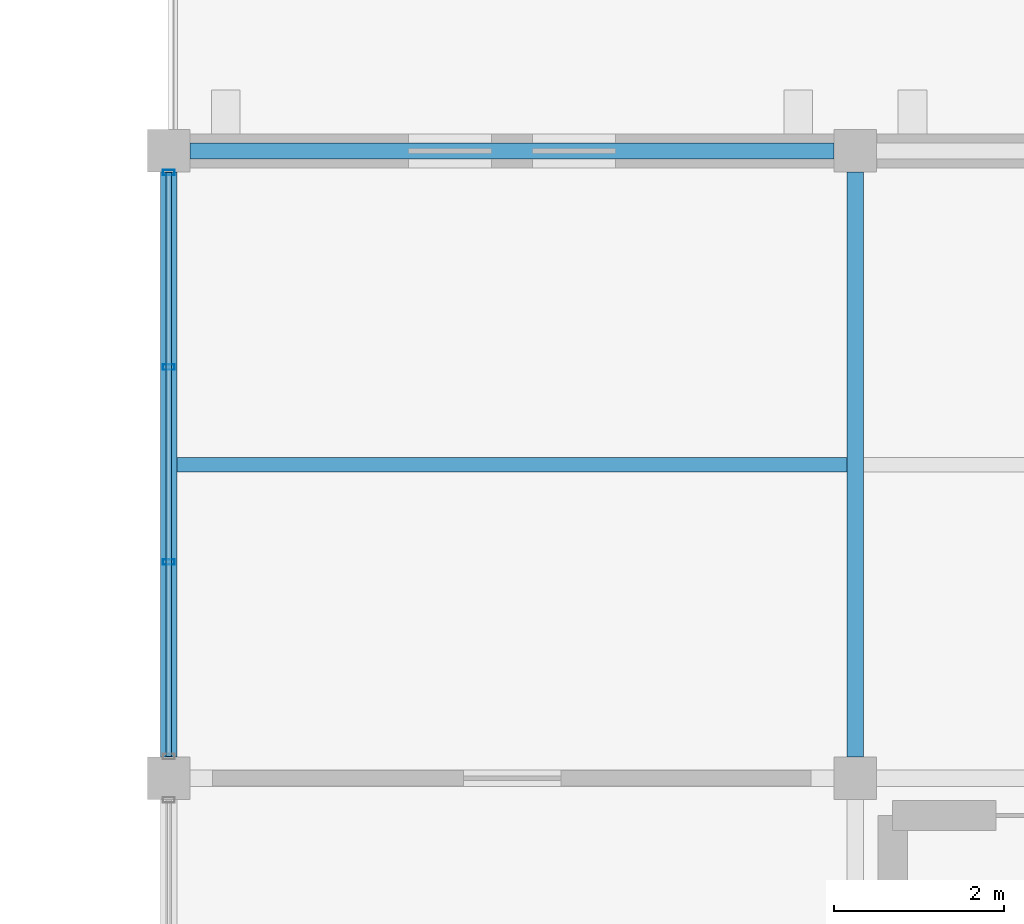
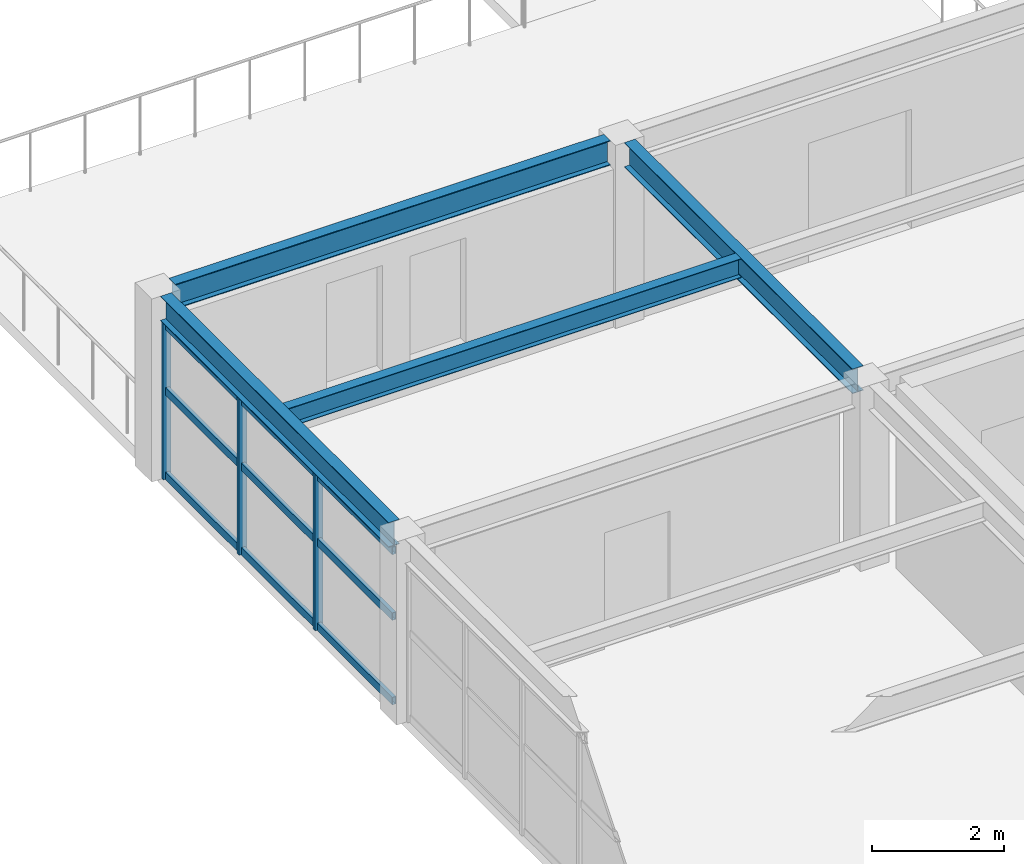
# One storey, part 70 of 93: 6 members, 4 beams, 1 element without a shape of its own.
"""IFC4 building model written with IfcOpenShell, lengths in metres."""

import ifcopenshell
import ifcopenshell.guid

model = None  # the IFC model being written
_history = None  # IfcOwnerHistory: only IFC2X3 demands one
_inside = {}  # id of a spatial element -> (the spatial element, [elements in it])
_under = {}  # id of a project, library or spatial element -> (it, [spatial elements below it])
_declared = {}  # id of a project -> (the project, [libraries it declares])
_typed = {}  # id of a type object -> (the type object, [elements of that type])
_made_of = {}  # id of a material, layer set ... -> (it, [elements and type objects made of it])


def new_model(schema):
    """Start an empty IFC model of exactly this schema.

    Asked for "IFC4X3", IfcOpenShell would pick the latest addendum, in which some entities
    have other attributes; the version numbers below select the first issue.
    IFC2X3 requires an IfcOwnerHistory on every rooted entity: one is made here for all.
    """
    global model, _history
    if schema == "IFC4X3":
        model = ifcopenshell.file(schema_version=(4, 3, 0, 0))
    else:
        model = ifcopenshell.file(schema=schema)
    _inside.clear()
    _under.clear()
    _declared.clear()
    _typed.clear()
    _made_of.clear()
    _history = None
    if model.schema == "IFC2X3":
        org = make("IfcOrganization", Name="unknown")
        user = make(
            "IfcPersonAndOrganization",
            ThePerson=make("IfcPerson", FamilyName="unknown"),
            TheOrganization=org,
        )
        app = make(
            "IfcApplication",
            ApplicationDeveloper=org,
            Version="unknown",
            ApplicationFullName="unknown",
            ApplicationIdentifier="unknown",
        )
        _history = make(
            "IfcOwnerHistory",
            OwningUser=user,
            OwningApplication=app,
            ChangeAction="ADDED",
            CreationDate=0,
        )
    return model


def make(cls, **values):
    """One entity of the class cls with the attributes given. An attribute that is None is left unset."""
    return model.create_entity(
        cls, **{name: value for name, value in values.items() if value is not None}
    )


def rooted(cls, **values):
    """An entity with a GlobalId (a new one), such as an element, a storey or a relation."""
    return make(cls, GlobalId=ifcopenshell.guid.new(), OwnerHistory=_history, **values)


def si_unit(unit_type, name, prefix=None):
    """IfcSIUnit, for example si_unit("LENGTHUNIT", "METRE", prefix="MILLI")."""
    return make("IfcSIUnit", UnitType=unit_type, Prefix=prefix, Name=name)


def assignment(units):
    """IfcUnitAssignment: the units of a project."""
    return None if units is None else make("IfcUnitAssignment", Units=units)


def point(xyz):
    """IfcCartesianPoint."""
    return None if xyz is None else make("IfcCartesianPoint", Coordinates=xyz)


def direction(xyz):
    """IfcDirection."""
    return None if xyz is None else make("IfcDirection", DirectionRatios=xyz)


def frame(location, z_axis=None, x_axis=None):
    """IfcAxis2Placement3D, a coordinate frame: its origin and axes. An axis left out is left unset."""
    return make(
        "IfcAxis2Placement3D",
        Location=point(location),
        Axis=direction(z_axis),
        RefDirection=direction(x_axis),
    )


def frame_2d(location, x_axis=None):
    """IfcAxis2Placement2D, a coordinate frame in the plane: its origin and x axis."""
    return make(
        "IfcAxis2Placement2D", Location=point(location), RefDirection=direction(x_axis)
    )


def origin():
    """The frame at (0, 0, 0) with its axes left unset."""
    return frame((0.0, 0.0, 0.0))


def origin_2d():
    """The frame at (0, 0) in the plane with its x axis left unset."""
    return frame_2d((0.0, 0.0))


def place(relative_to, where):
    """IfcLocalPlacement: puts the frame where relative to a parent placement (None: the world)."""
    return make(
        "IfcLocalPlacement", PlacementRelTo=relative_to, RelativePlacement=where
    )


def context(
    kind, dimensions, precision=None, world=None, true_north=None, identifier=None
):
    """IfcGeometricRepresentationContext, for example the 3D "Model" context."""
    return make(
        "IfcGeometricRepresentationContext",
        ContextIdentifier=identifier,
        ContextType=kind,
        CoordinateSpaceDimension=dimensions,
        Precision=precision,
        WorldCoordinateSystem=world,
        TrueNorth=true_north,
    )


def subcontext(parent, identifier, kind, view, scale=None):
    """IfcGeometricRepresentationSubContext, for example "Body" below "Model"."""
    return make(
        "IfcGeometricRepresentationSubContext",
        ContextIdentifier=identifier,
        ContextType=kind,
        ParentContext=parent,
        TargetScale=scale,
        TargetView=view,
    )


def project(units=None, contexts=None):
    """IfcProject with its units and contexts."""
    return rooted(
        "IfcProject",
        Name="project",
        RepresentationContexts=contexts,
        UnitsInContext=assignment(units),
    )


def spatial(cls, under=None, at=None, **own):
    """A site, building, storey or space (cls), placed at a placement, below another one or the project."""
    s = rooted(cls, ObjectPlacement=at, **own)
    if under is not None:
        _under.setdefault(under.id(), (under, []))[1].append(s)
    return s


def profile(cls, at=None, kind="AREA", **sizes):
    """A parametric profile (cls). Its sizes go by their IFC names, for example OverallWidth=200.0."""
    return make(cls, ProfileType=kind, Position=at, **sizes)


def hollow_rectangle(**sizes):
    """IfcRectangleHollowProfileDef."""
    return profile("IfcRectangleHollowProfileDef", **sizes)


def i_section(**sizes):
    """IfcIShapeProfileDef."""
    return profile("IfcIShapeProfileDef", **sizes)


def extrude(swept, where, along, depth):
    """IfcExtrudedAreaSolid: the profile swept, set in the frame where, extruded along a direction by depth."""
    return make(
        "IfcExtrudedAreaSolid",
        SweptArea=swept,
        Position=where,
        ExtrudedDirection=direction(along),
        Depth=depth,
    )


def shape(context_of_items, identifier, shape_type, items):
    """IfcShapeRepresentation: the items that make up one representation, for example the "Body"."""
    return make(
        "IfcShapeRepresentation",
        ContextOfItems=context_of_items,
        RepresentationIdentifier=identifier,
        RepresentationType=shape_type,
        Items=items,
    )


def material(Name=None, Category=None):
    """IfcMaterial."""
    return make("IfcMaterial", Name=Name, Category=Category)


def material_profile(
    of_material, cross_section, Name=None, Category=None, Priority=None
):
    """IfcMaterialProfile: a cross section and its material."""
    return make(
        "IfcMaterialProfile",
        Name=Name,
        Material=of_material,
        Profile=cross_section,
        Priority=Priority,
        Category=Category,
    )


def profile_set(profiles, Name=None, composite=None):
    """IfcMaterialProfileSet."""
    return make(
        "IfcMaterialProfileSet",
        Name=Name,
        MaterialProfiles=profiles,
        CompositeProfile=composite,
    )


def made_of(thing, what):
    """Note that an element or type object is made of a material, layer set ...; save() writes the relation."""
    if what is not None:
        _made_of.setdefault(what.id(), (what, []))[1].append(thing)
    return thing


def type_object(cls, material=None, **own):
    """A type object (cls), such as IfcWallType, which elements share."""
    return made_of(rooted(cls, **own), material)


def element(
    cls,
    number,
    at=None,
    inside=None,
    cuts=None,
    type_object=None,
    material=None,
    context=None,
    identifier="Body",
    shape_type=None,
    held_by="IfcProductDefinitionShape",
    body=None,
    shapes=None,
    **own,
):
    """One element of the class cls, such as IfcWall. Its Tag is "e" and its number.

    at: its placement. inside: the storey or other place that contains it. cuts: it is an
    opening in that element (IfcRelVoidsElement). A single representation is given by context,
    identifier, shape_type and body (its items); several are given by shapes. held_by: the class
    of the entity that holds the representations. save() writes the other relations.
    """
    e = rooted(cls, Tag="e%d" % number, ObjectPlacement=at, **own)
    if body is not None:
        shapes = [shape(context, identifier, shape_type, body)]
    if shapes is not None:
        e.Representation = make(held_by, Representations=shapes)
    if inside is not None:
        _inside.setdefault(inside.id(), (inside, []))[1].append(e)
    if cuts is not None:
        rooted(
            "IfcRelVoidsElement", RelatingBuildingElement=cuts, RelatedOpeningElement=e
        )
    if type_object is not None:
        _typed.setdefault(type_object.id(), (type_object, []))[1].append(e)
    return made_of(e, material)


def aggregate(whole, parts):
    """IfcRelAggregates: a whole, such as a stair, and the parts it consists of."""
    return rooted("IfcRelAggregates", RelatingObject=whole, RelatedObjects=parts)


def save(model, path):
    """Write the relations noted so far, then the file.

    IfcRelAggregates (storeys below a building ...), IfcRelContainedInSpatialStructure (elements
    in a storey), IfcRelDefinesByType, IfcRelAssociatesMaterial and IfcRelDeclares: one each for
    every whole, place, type object, material and project.
    """
    for whole, parts in _under.values():
        aggregate(whole, parts)
    for where, things in _inside.values():
        rooted(
            "IfcRelContainedInSpatialStructure",
            RelatedElements=things,
            RelatingStructure=where,
        )
    for kind, things in _typed.values():
        rooted("IfcRelDefinesByType", RelatedObjects=things, RelatingType=kind)
    for what, things in _made_of.values():
        rooted("IfcRelAssociatesMaterial", RelatedObjects=things, RelatingMaterial=what)
    for by, libraries in _declared.values():
        rooted("IfcRelDeclares", RelatingContext=by, RelatedDefinitions=libraries)
    model.write(path)


model = new_model("IFC4")

# Units and contexts
model_context = context("Model", 3, precision=1e-05, world=origin(), true_north=direction((0.0, 1.0)))
body_context = subcontext(model_context, "Body", "Model", "MODEL_VIEW")
ifc_project = project(units=[si_unit("LENGTHUNIT", "METRE"), si_unit("AREAUNIT", "SQUARE_METRE"), si_unit("VOLUMEUNIT", "CUBIC_METRE"), si_unit("PLANEANGLEUNIT", "RADIAN"), si_unit("MASSUNIT", "GRAM", prefix="KILO")], contexts=[model_context])

# Site, building, storey
site_placement = place(None, origin())
site = spatial("IfcSite", under=ifc_project, at=site_placement, CompositionType="ELEMENT")
building_placement = place(site_placement, origin())
building = spatial("IfcBuilding", under=site, at=building_placement, Name="Cimatlan Art Gallery", CompositionType="ELEMENT")
storey_placement = place(building_placement, frame((0.0, 0.0, 13.800048828125)))
storey = spatial("IfcBuildingStorey", under=building, at=storey_placement, Name="L03", CompositionType="ELEMENT", Elevation=13.800048828125)

# Beams
ifc_material_1 = material(Name="Steel ASTM A992 Grade 50", Category="steel")
ifc_material_profile_1 = material_profile(ifc_material_1, i_section(OverallWidth=0.1708984375, OverallDepth=0.35107421875, WebThickness=0.0068359375, FlangeThickness=0.009765625, at=origin_2d()), Name="W14X30")
ifc_profile_set_1 = profile_set([ifc_material_profile_1], Name="Steel ASTM A992 Grade 50")
beam_type_1 = type_object("IfcBeamType", Name="BM-STL-W14X30", PredefinedType="JOIST", material=ifc_profile_set_1)
beam_1_placement = place(storey_placement, frame((147.8955078125, 57.199951171875, 3.204345703125), z_axis=(1.0, 0.0, 0.0), x_axis=(0.0, 1.0, 0.0)))
element("IfcBeam", 1, at=beam_1_placement, inside=storey, type_object=beam_type_1, Name="JST-L03-18-07", PredefinedType="JOIST", context=body_context, shape_type="SweptSolid", body=[
    extrude(i_section(OverallWidth=0.1708984375, OverallDepth=0.35107421875, WebThickness=0.0068359375, FlangeThickness=0.009765625, at=origin_2d()), origin(), (0.0, 0.0, 1.0), 7.908935546875),
])
ifc_material_profile_2 = material_profile(ifc_material_1, i_section(OverallWidth=0.19091796875, OverallDepth=0.45703125, WebThickness=0.009033203125, FlangeThickness=0.014404296875, at=origin_2d()), Name="W18X50")
ifc_profile_set_2 = profile_set([ifc_material_profile_2], Name="Steel ASTM A992 Grade 50")
beam_type_2 = type_object("IfcBeamType", Name="BM-STL-W18X50", PredefinedType="BEAM", material=ifc_profile_set_2)
for number, where, z_axis, x_axis, name in (
    (2, (147.800048828125, 53.75, 3.1513671875), (0.0, 1.0, 0.0), (-1.0, 0.0, 0.0), "BM-Y-L03-18-07"),
    (3, (155.89990234375, 53.75, 3.1513671875), (0.0, 1.0, 0.0), (-1.0, 0.0, 0.0), "BM-Y-L03-19-07"),
):
    element("IfcBeam", number, at=place(storey_placement, frame(where, z_axis=z_axis, x_axis=x_axis)), inside=storey, type_object=beam_type_2, Name=name, PredefinedType="BEAM", context=body_context, shape_type="SweptSolid", body=[
        extrude(i_section(OverallWidth=0.19091796875, OverallDepth=0.45703125, WebThickness=0.009033203125, FlangeThickness=0.014404296875, at=origin_2d()), origin(), (0.0, 0.0, 1.0), 6.89990234375),
    ])
beam_2_placement = place(storey_placement, frame((148.050048828125, 60.89990234375, 3.1513671875), z_axis=(1.0, 0.0, 0.0), x_axis=(0.0, 1.0, 0.0)))
element("IfcBeam", 4, at=beam_2_placement, inside=storey, type_object=beam_type_2, Name="BM-X-L03-18-08", PredefinedType="BEAM", context=body_context, shape_type="SweptSolid", body=[
    extrude(i_section(OverallWidth=0.19091796875, OverallDepth=0.45703125, WebThickness=0.009033203125, FlangeThickness=0.014404296875, at=origin_2d()), origin(), (0.0, 0.0, 1.0), 7.599853515625),
])

# Curtain wall, members
ifc_material_2 = material(Name="Anodised bronze unitised curtain wall")
curtain_wall_type = type_object("IfcCurtainWallType", Name="CW-V-06892X02893-B3", PredefinedType="NOTDEFINED", material=ifc_material_2)
curtain_wall_placement = place(storey_placement, origin())
curtain_wall = element("IfcCurtainWall", 5, at=curtain_wall_placement, inside=storey, type_object=curtain_wall_type, Name="CW-L03-18-07-W", PredefinedType="NOTDEFINED")
ifc_material_3 = material(Name="Anodised bronze aluminium 6063-T6", Category="aluminium")
ifc_material_profile_3 = material_profile(ifc_material_3, hollow_rectangle(XDim=0.06494140625, YDim=0.139892578125, WallThickness=0.00390625, at=origin_2d()), Name="ALU65X140X4")
ifc_profile_set_3 = profile_set([ifc_material_profile_3], Name="Anodised bronze aluminium 6063-T6")
member_type_1 = type_object("IfcMemberType", Name="CW-MUL-140", PredefinedType="MULLION", material=ifc_profile_set_3)
member_1_placement = place(storey_placement, frame((147.800048828125, 56.05126953125, 0.0), z_axis=(0.0, 0.0, 1.0), x_axis=(0.0, 1.0, 0.0)))
member_1 = element("IfcMember", 6, at=member_1_placement, type_object=member_type_1, Name="CW-L03-18-07-W-M2", PredefinedType="MULLION", context=body_context, shape_type="SweptSolid", body=[
    extrude(hollow_rectangle(XDim=0.06494140625, YDim=0.139892578125, WallThickness=0.00390625, at=origin_2d()), origin(), (0.0, 0.0, 1.0), 2.89306640625),
])
member_2_placement = place(storey_placement, frame((147.800048828125, 58.3486328125, 0.0), z_axis=(0.0, 0.0, 1.0), x_axis=(0.0, 1.0, 0.0)))
member_2 = element("IfcMember", 7, at=member_2_placement, type_object=member_type_1, Name="CW-L03-18-07-W-M3", PredefinedType="MULLION", context=body_context, shape_type="SweptSolid", body=[
    extrude(hollow_rectangle(XDim=0.06494140625, YDim=0.139892578125, WallThickness=0.00390625, at=origin_2d()), origin(), (0.0, 0.0, 1.0), 2.89306640625),
])
member_3_placement = place(storey_placement, frame((147.800048828125, 60.64599609375, 0.0), z_axis=(0.0, 0.0, 1.0), x_axis=(0.0, 1.0, 0.0)))
member_3 = element("IfcMember", 8, at=member_3_placement, type_object=member_type_1, Name="CW-L03-18-07-W-M4", PredefinedType="MULLION", context=body_context, shape_type="SweptSolid", body=[
    extrude(hollow_rectangle(XDim=0.06494140625, YDim=0.139892578125, WallThickness=0.00390625, at=origin_2d()), origin(), (0.0, 0.0, 1.0), 2.89306640625),
])
ifc_material_profile_4 = material_profile(ifc_material_3, hollow_rectangle(XDim=0.06494140625, YDim=0.139892578125, WallThickness=0.00390625, at=origin_2d()), Name="ALU65X140X4")
ifc_profile_set_4 = profile_set([ifc_material_profile_4], Name="Anodised bronze aluminium 6063-T6")
member_type_2 = type_object("IfcMemberType", Name="CW-TRN-140", PredefinedType="USERDEFINED", material=ifc_profile_set_4)
member_4_placement = place(storey_placement, frame((147.800048828125, 53.75390625, 0.06005859375), z_axis=(0.0, 1.0, 0.0), x_axis=(-1.0, 0.0, 0.0)))
member_4 = element("IfcMember", 9, at=member_4_placement, type_object=member_type_2, Name="CW-L03-18-07-W-T1", ObjectType="TRANSOM", PredefinedType="USERDEFINED", context=body_context, shape_type="SweptSolid", body=[
    extrude(hollow_rectangle(XDim=0.06494140625, YDim=0.139892578125, WallThickness=0.00390625, at=origin_2d()), origin(), (0.0, 0.0, 1.0), 6.89208984375),
])
member_5_placement = place(storey_placement, frame((147.800048828125, 53.75390625, 1.6201171875), z_axis=(0.0, 1.0, 0.0), x_axis=(-1.0, 0.0, 0.0)))
member_5 = element("IfcMember", 10, at=member_5_placement, type_object=member_type_2, Name="CW-L03-18-07-W-T2", ObjectType="TRANSOM", PredefinedType="USERDEFINED", context=body_context, shape_type="SweptSolid", body=[
    extrude(hollow_rectangle(XDim=0.06494140625, YDim=0.139892578125, WallThickness=0.00390625, at=origin_2d()), origin(), (0.0, 0.0, 1.0), 6.89208984375),
])
member_6_placement = place(storey_placement, frame((147.800048828125, 53.75390625, 2.8330078125), z_axis=(0.0, 1.0, 0.0), x_axis=(-1.0, 0.0, 0.0)))
member_6 = element("IfcMember", 11, at=member_6_placement, type_object=member_type_2, Name="CW-L03-18-07-W-T3", ObjectType="TRANSOM", PredefinedType="USERDEFINED", context=body_context, shape_type="SweptSolid", body=[
    extrude(hollow_rectangle(XDim=0.06494140625, YDim=0.139892578125, WallThickness=0.00390625, at=origin_2d()), origin(), (0.0, 0.0, 1.0), 6.89208984375),
])
aggregate(curtain_wall, [member_1, member_2, member_3, member_4, member_5, member_6])

save(model, "model.ifc")
